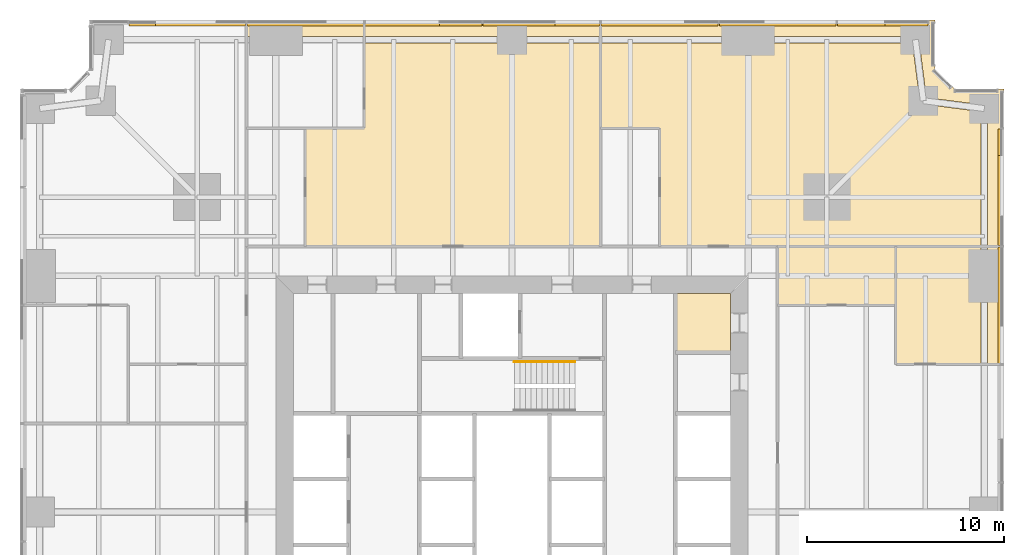
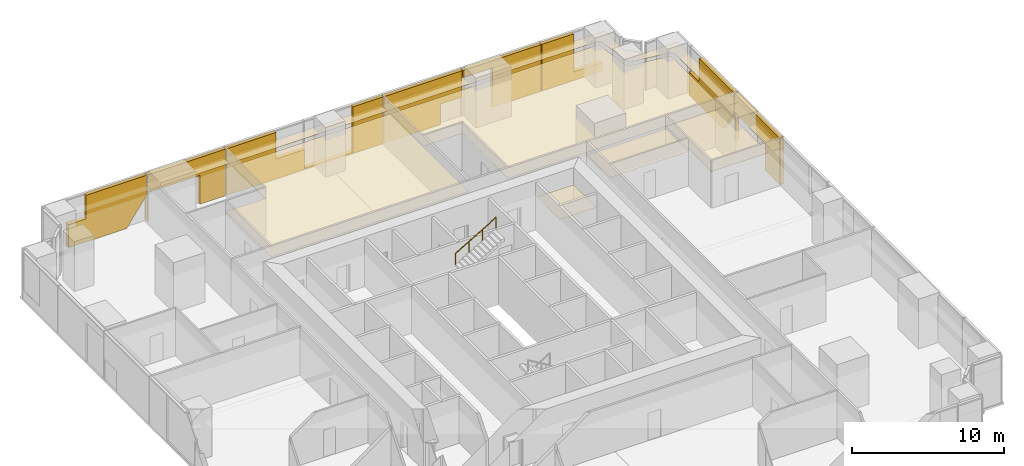
# One storey, part 13 of 13: 18 coverings, 1 railing.
"""IFC4 building model written with IfcOpenShell, lengths in metres."""

from ifc_helpers import new_model, si_unit, direction, frame, origin, origin_2d, place, context, subcontext, project, spatial, polyline, circle, outline, extrude, material, layer, layer_set, type_object, element, save


model = new_model("IFC4")

# Units and contexts
model_context = context("Model", 3, precision=1e-05, world=origin(), true_north=direction((0.0, 1.0)))
body_context = subcontext(model_context, "Body", "Model", "MODEL_VIEW")
ifc_project = project(units=[si_unit("LENGTHUNIT", "METRE"), si_unit("AREAUNIT", "SQUARE_METRE"), si_unit("VOLUMEUNIT", "CUBIC_METRE"), si_unit("PLANEANGLEUNIT", "RADIAN"), si_unit("MASSUNIT", "GRAM", prefix="KILO")], contexts=[model_context])

# Site, building, storey
site_placement = place(None, origin())
site = spatial("IfcSite", under=ifc_project, at=site_placement, CompositionType="ELEMENT")
building_placement = place(site_placement, origin())
building = spatial("IfcBuilding", under=site, at=building_placement, Name="Fenwick Lantern Interchange", CompositionType="ELEMENT")
storey_placement = place(building_placement, frame((0.0, 0.0, 47.0)))
storey = spatial("IfcBuildingStorey", under=building, at=storey_placement, Name="L10", CompositionType="ELEMENT", Elevation=47.0)

# Coverings
ifc_material_1 = material(Name="Mineral fibre acoustic tile on suspended grid")
ifc_layer_1 = layer(ifc_material_1, 0.02001953125)
ifc_layer_set_1 = layer_set([ifc_layer_1], Name="ACOUSTIC TILE CEILING 20")
covering_type_1 = type_object("IfcCoveringType", Name="ACOUSTIC TILE CEILING 20", PredefinedType="CEILING", material=ifc_layer_set_1)
covering_1_placement = place(storey_placement, frame((0.0, 0.0, 2.89990234375)))
element("IfcCovering", 1, at=covering_1_placement, inside=storey, type_object=covering_type_1, Name="Meeting room ceiling", PredefinedType="CEILING", context=body_context, shape_type="SweptSolid", body=[
    extrude(outline(polyline([(44.5, 32.5), (48.82763671875, 32.5), (48.82763671875, 37.0), (48.82763671875, 38.5), (44.5, 38.5), (44.5, 32.5)])), origin(), (0.0, 0.0, 1.0), 0.02001953125),
])
covering_2_placement = place(storey_placement, frame((0.0, 0.0, 2.89990234375)))
element("IfcCovering", 2, at=covering_2_placement, inside=storey, type_object=covering_type_1, Name="Meeting room ceiling", PredefinedType="CEILING", context=body_context, shape_type="SweptSolid", body=[
    extrude(outline(polyline([(50.0, 38.5), (49.17236328125, 38.5), (49.17236328125, 37.0), (49.17236328125, 32.5), (50.0, 32.5), (50.0, 38.5)])), origin(), (0.0, 0.0, 1.0), 0.02001953125),
])
covering_3_placement = place(storey_placement, frame((0.0, 0.0, 2.89990234375)))
element("IfcCovering", 3, at=covering_3_placement, inside=storey, type_object=covering_type_1, Name="Office suite ceiling", PredefinedType="CEILING", context=body_context, shape_type="SweptSolid", body=[
    extrude(outline(polyline([(29.5, 48.82763671875), (29.5, 44.5), (32.5, 44.5), (32.5, 38.5), (48.82763671875, 38.5), (48.82763671875, 45.348388671875), (45.8779296875, 45.72900390625), (45.89990234375, 45.89990234375), (45.72900390625, 45.8779296875), (45.348388671875, 48.82763671875), (37.0, 48.82763671875), (29.5, 48.82763671875)])), origin(), (0.0, 0.0, 1.0), 0.02001953125),
])
covering_4_placement = place(storey_placement, frame((0.0, 0.0, 2.89990234375)))
element("IfcCovering", 4, at=covering_4_placement, inside=storey, type_object=covering_type_1, Name="Office suite ceiling", PredefinedType="CEILING", context=body_context, shape_type="SweptSolid", body=[
    extrude(outline(polyline([(29.5, 50.0), (29.5, 49.17236328125), (37.0, 49.17236328125), (45.5, 49.17236328125), (45.5, 49.0), (45.6708984375, 49.02197265625), (46.053955078125, 46.053955078125), (49.02197265625, 45.6708984375), (49.0, 45.5), (49.17236328125, 45.5), (49.17236328125, 38.5), (50.0, 38.5), (50.0, 46.5), (47.5, 46.5), (46.5, 47.5), (46.5, 50.0), (29.5, 50.0)])), origin(), (0.0, 0.0, 1.0), 0.02001953125),
])
covering_5_placement = place(storey_placement, frame((0.0, 0.0, 2.89990234375)))
element("IfcCovering", 5, at=covering_5_placement, inside=storey, type_object=covering_type_1, Name="Office suite ceiling", PredefinedType="CEILING", context=body_context, shape_type="SweptSolid", body=[
    extrude(outline(polyline([(29.5, 38.5), (29.5, 48.82763671875), (25.0, 48.82763671875), (17.5, 48.82763671875), (17.5, 44.5), (14.5, 44.5), (14.5, 38.5), (29.5, 38.5)])), origin(), (0.0, 0.0, 1.0), 0.02001953125),
])
covering_6_placement = place(storey_placement, frame((0.0, 0.0, 2.89990234375)))
element("IfcCovering", 6, at=covering_6_placement, inside=storey, type_object=covering_type_1, Name="Office suite ceiling", PredefinedType="CEILING", context=body_context, shape_type="SweptSolid", body=[
    extrude(outline(polyline([(29.5, 49.17236328125), (29.5, 50.0), (17.5, 50.0), (17.5, 49.17236328125), (25.0, 49.17236328125), (29.5, 49.17236328125)])), origin(), (0.0, 0.0, 1.0), 0.02001953125),
])
covering_7_placement = place(storey_placement, frame((0.0, 0.0, 2.89990234375)))
element("IfcCovering", 7, at=covering_7_placement, inside=storey, type_object=covering_type_1, Name="Meeting room ceiling", PredefinedType="CEILING", context=body_context, shape_type="SweptSolid", body=[
    extrude(outline(polyline([(11.5, 50.0), (11.5, 49.17236328125), (13.0, 49.17236328125), (17.5, 49.17236328125), (17.5, 50.0), (11.5, 50.0)])), origin(), (0.0, 0.0, 1.0), 0.02001953125),
])
ifc_material_2 = material(Name="Granite cladding, warm grey flamed finish, on aluminium carrier frame", Category="masonry")
ifc_layer_2 = layer(ifc_material_2, 0.300048828125)
ifc_layer_set_2 = layer_set([ifc_layer_2], Name="BRACE CASING PANEL 300")
covering_type_2 = type_object("IfcCoveringType", Name="BRACE CASING PANEL 300", PredefinedType="CLADDING", material=ifc_layer_set_2)
covering_8_placement = place(storey_placement, frame((49.89990234375, 3.60009765625, 0.0), z_axis=(0.0, 0.0, 1.0), x_axis=(0.0, 1.0, 0.0)))
element("IfcCovering", 8, at=covering_8_placement, inside=storey, type_object=covering_type_2, Name="Brace casing 05 bay 05a", PredefinedType="CLADDING", context=body_context, shape_type="SweptSolid", body=[
    extrude(outline(polyline([(28.9326171875, 0.0), (30.87255859375, 0.0), (30.87255859375, 2.321044921875), (34.78759765625, 2.321044921875), (34.78759765625, 0.0), (34.867431640625, 0.0), (34.867431640625, 3.75), (28.9326171875, 3.75), (28.9326171875, 0.0)])), frame((0.0, 0.2001953125, 0.0), z_axis=(0.0, -1.0, 0.0), x_axis=(1.0, 0.0, 0.0)), (0.0, 0.0, 1.0), 0.300048828125),
])
covering_9_placement = place(storey_placement, frame((49.89990234375, 3.60009765625, 0.0), z_axis=(0.0, 0.0, 1.0), x_axis=(0.0, 1.0, 0.0)))
element("IfcCovering", 9, at=covering_9_placement, inside=storey, type_object=covering_type_2, Name="Brace casing 05 bay 06a", PredefinedType="CLADDING", context=body_context, shape_type="SweptSolid", body=[
    extrude(outline(polyline([(36.431640625, 0.0), (40.867431640625, 0.0), (40.867431640625, 1.858154296875), (39.52685546875, 1.858154296875), (39.52685546875, 3.75), (34.9326171875, 3.75), (34.9326171875, 2.116455078125), (36.431640625, 0.0)])), frame((0.0, 0.2001953125, 0.0), z_axis=(0.0, -1.0, 0.0), x_axis=(1.0, 0.0, 0.0)), (0.0, 0.0, 1.0), 0.300048828125),
])
covering_10_placement = place(storey_placement, frame((46.39990234375, 49.89990234375, 0.0), z_axis=(0.0, 0.0, 1.0), x_axis=(-1.0, 0.0, 0.0)))
element("IfcCovering", 10, at=covering_10_placement, inside=storey, type_object=covering_type_2, Name="Brace casing 09 bay 00a", PredefinedType="CLADDING", context=body_context, shape_type="SweptSolid", body=[
    extrude(outline(polyline([(0.264892578125, 0.0), (4.867431640625, 0.0), (4.867431640625, 3.75), (2.43994140625, 3.75), (2.43994140625, 0.68212890625), (0.264892578125, 0.68212890625), (0.264892578125, 0.0)])), frame((0.0, 0.2001953125, 0.0), z_axis=(0.0, -1.0, 0.0), x_axis=(1.0, 0.0, 0.0)), (0.0, 0.0, 1.0), 0.300048828125),
])
covering_11_placement = place(storey_placement, frame((46.39990234375, 49.89990234375, 0.0), z_axis=(0.0, 0.0, 1.0), x_axis=(-1.0, 0.0, 0.0)))
element("IfcCovering", 11, at=covering_11_placement, inside=storey, type_object=covering_type_2, Name="Brace casing 09 bay 01a", PredefinedType="CLADDING", context=body_context, shape_type="SweptSolid", body=[
    extrude(outline(polyline([(4.9326171875, 0.0), (8.618408203125, 0.0), (8.618408203125, 3.176513671875), (10.867431640625, 3.176513671875), (10.867431640625, 3.75), (4.9326171875, 3.75), (4.9326171875, 0.0)])), frame((0.0, 0.2001953125, 0.0), z_axis=(0.0, -1.0, 0.0), x_axis=(1.0, 0.0, 0.0)), (0.0, 0.0, 1.0), 0.300048828125),
])
covering_12_placement = place(storey_placement, frame((46.39990234375, 49.89990234375, 0.0), z_axis=(0.0, 0.0, 1.0), x_axis=(-1.0, 0.0, 0.0)))
element("IfcCovering", 12, at=covering_12_placement, inside=storey, type_object=covering_type_2, Name="Brace casing 09 bay 02a", PredefinedType="CLADDING", context=body_context, shape_type="SweptSolid", body=[
    extrude(outline(polyline([(12.592529296875, 0.0), (16.867431640625, 0.0), (16.867431640625, 3.75), (10.9326171875, 3.75), (10.9326171875, 1.656005859375), (12.592529296875, 1.656005859375), (12.592529296875, 0.0)])), frame((0.0, 0.2001953125, 0.0), z_axis=(0.0, -1.0, 0.0), x_axis=(1.0, 0.0, 0.0)), (0.0, 0.0, 1.0), 0.300048828125),
])
covering_13_placement = place(storey_placement, frame((46.39990234375, 49.89990234375, 0.0), z_axis=(0.0, 0.0, 1.0), x_axis=(-1.0, 0.0, 0.0)))
element("IfcCovering", 13, at=covering_13_placement, inside=storey, type_object=covering_type_2, Name="Brace casing 09 bay 03a", PredefinedType="CLADDING", context=body_context, shape_type="SweptSolid", body=[
    extrude(outline(polyline([(16.9326171875, 0.0), (22.867431640625, 0.0), (22.867431640625, 0.112060546875), (19.2275390625, 0.112060546875), (19.2275390625, 3.75), (16.9326171875, 3.75), (16.9326171875, 0.0)])), frame((0.0, 0.2001953125, 0.0), z_axis=(0.0, -1.0, 0.0), x_axis=(1.0, 0.0, 0.0)), (0.0, 0.0, 1.0), 0.300048828125),
])
covering_14_placement = place(storey_placement, frame((46.39990234375, 49.89990234375, 0.0), z_axis=(0.0, 0.0, 1.0), x_axis=(-1.0, 0.0, 0.0)))
element("IfcCovering", 14, at=covering_14_placement, inside=storey, type_object=covering_type_2, Name="Brace casing 09 bay 04a", PredefinedType="CLADDING", context=body_context, shape_type="SweptSolid", body=[
    extrude(outline(polyline([(22.9326171875, 0.0), (28.867431640625, 0.0), (28.867431640625, 3.75), (25.072509765625, 3.75), (25.072509765625, 1.612060546875), (22.9326171875, 1.612060546875), (22.9326171875, 0.0)])), frame((0.0, 0.2001953125, 0.0), z_axis=(0.0, -1.0, 0.0), x_axis=(1.0, 0.0, 0.0)), (0.0, 0.0, 1.0), 0.300048828125),
])
covering_15_placement = place(storey_placement, frame((46.39990234375, 49.89990234375, 0.0), z_axis=(0.0, 0.0, 1.0), x_axis=(-1.0, 0.0, 0.0)))
element("IfcCovering", 15, at=covering_15_placement, inside=storey, type_object=covering_type_2, Name="Brace casing 09 bay 05a", PredefinedType="CLADDING", context=body_context, shape_type="SweptSolid", body=[
    extrude(outline(polyline([(28.9326171875, 0.0), (30.87255859375, 0.0), (30.87255859375, 2.321044921875), (34.78759765625, 2.321044921875), (34.78759765625, 0.0), (34.867431640625, 0.0), (34.867431640625, 3.75), (28.9326171875, 3.75), (28.9326171875, 0.0)])), frame((0.0, 0.2001953125, 0.0), z_axis=(0.0, -1.0, 0.0), x_axis=(1.0, 0.0, 0.0)), (0.0, 0.0, 1.0), 0.300048828125),
])
covering_16_placement = place(storey_placement, frame((46.39990234375, 49.89990234375, 0.0), z_axis=(0.0, 0.0, 1.0), x_axis=(-1.0, 0.0, 0.0)))
element("IfcCovering", 16, at=covering_16_placement, inside=storey, type_object=covering_type_2, Name="Brace casing 09 bay 06a", PredefinedType="CLADDING", context=body_context, shape_type="SweptSolid", body=[
    extrude(outline(polyline([(36.431640625, 0.0), (40.867431640625, 0.0), (40.867431640625, 1.858154296875), (39.52685546875, 1.858154296875), (39.52685546875, 3.75), (34.9326171875, 3.75), (34.9326171875, 2.116455078125), (36.431640625, 0.0)])), frame((0.0, 0.2001953125, 0.0), z_axis=(0.0, -1.0, 0.0), x_axis=(1.0, 0.0, 0.0)), (0.0, 0.0, 1.0), 0.300048828125),
])

# Railing
ifc_material_3 = material(Name="Stainless steel handrail", Category="steel")
railing_type = type_object("IfcRailingType", Name="HANDRAIL 900", PredefinedType="HANDRAIL", material=ifc_material_3)
railing_placement = place(storey_placement, frame((25.1201171875, 32.6259765625, 2.166748046875)))
element("IfcRailing", 17, at=railing_placement, inside=storey, type_object=railing_type, Name="L10/STAIR/ST2/HR2", PredefinedType="HANDRAIL", context=body_context, shape_type="SweptSolid", body=[
    extrude(circle(Radius=0.02392578125, at=origin_2d()), frame((0.0, 0.0, 0.8759765625), z_axis=(0.859290745958, 0.0, 0.51148745235), x_axis=(0.0, 1.0, 0.0)), (0.0, 0.0, 1.0), 3.584228515625),
    extrude(circle(Radius=0.02099609375, at=origin_2d()), origin(), (0.0, 0.0, 1.0), 0.851806640625),
    extrude(circle(Radius=0.02099609375, at=origin_2d()), frame((1.026611328125, 0.0, 0.611083984375)), (0.0, 0.0, 1.0), 0.851806640625),
    extrude(circle(Radius=0.02099609375, at=origin_2d()), frame((2.05322265625, 0.0, 1.22216796875)), (0.0, 0.0, 1.0), 0.851806640625),
    extrude(circle(Radius=0.02099609375, at=origin_2d()), frame((3.079833984375, 0.0, 1.833251953125)), (0.0, 0.0, 1.0), 0.851806640625),
])

# Coverings
ifc_material_4 = material(Name="Moisture resistant gypsum board on suspended frame, painted")
ifc_layer_3 = layer(ifc_material_4, 0.014892578125)
ifc_layer_set_3 = layer_set([ifc_layer_3], Name="MOISTURE RESISTANT CEILING 15")
covering_type_3 = type_object("IfcCoveringType", Name="MOISTURE RESISTANT CEILING 15", PredefinedType="CEILING", material=ifc_layer_set_3)
covering_17_placement = place(storey_placement, frame((0.0, 0.0, 2.60009765625)))
element("IfcCovering", 18, at=covering_17_placement, inside=storey, type_object=covering_type_3, Name="Accessible WC ceiling", PredefinedType="CEILING", context=body_context, shape_type="SweptSolid", body=[
    extrude(outline(polyline([(36.10009765625, 36.10009765625), (33.300048828125, 36.10009765625), (33.300048828125, 33.10009765625), (36.10009765625, 33.10009765625), (36.10009765625, 36.10009765625)])), origin(), (0.0, 0.0, 1.0), 0.014892578125),
])
covering_18_placement = place(storey_placement, frame((0.0, 0.0, 2.699951171875)))
element("IfcCovering", 19, at=covering_18_placement, inside=storey, type_object=covering_type_3, Name="Pantry ceiling", PredefinedType="CEILING", context=body_context, shape_type="SweptSolid", body=[
    extrude(outline(polyline([(44.5, 35.5), (44.5, 38.5), (38.5, 38.5), (38.5, 35.5), (44.5, 35.5)])), origin(), (0.0, 0.0, 1.0), 0.01513671875),
])

save(model, "model.ifc")
